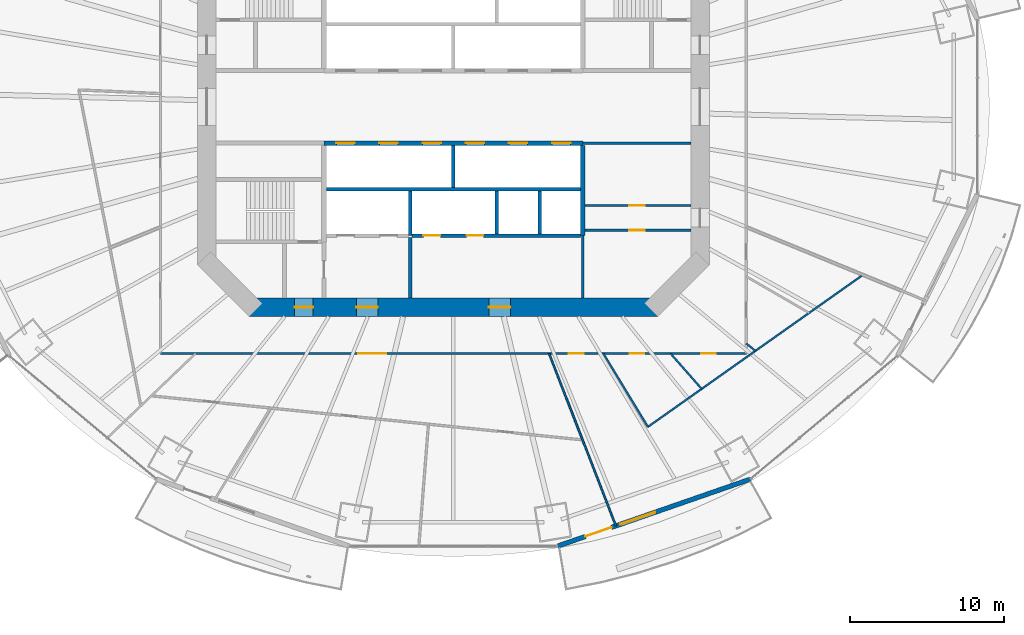
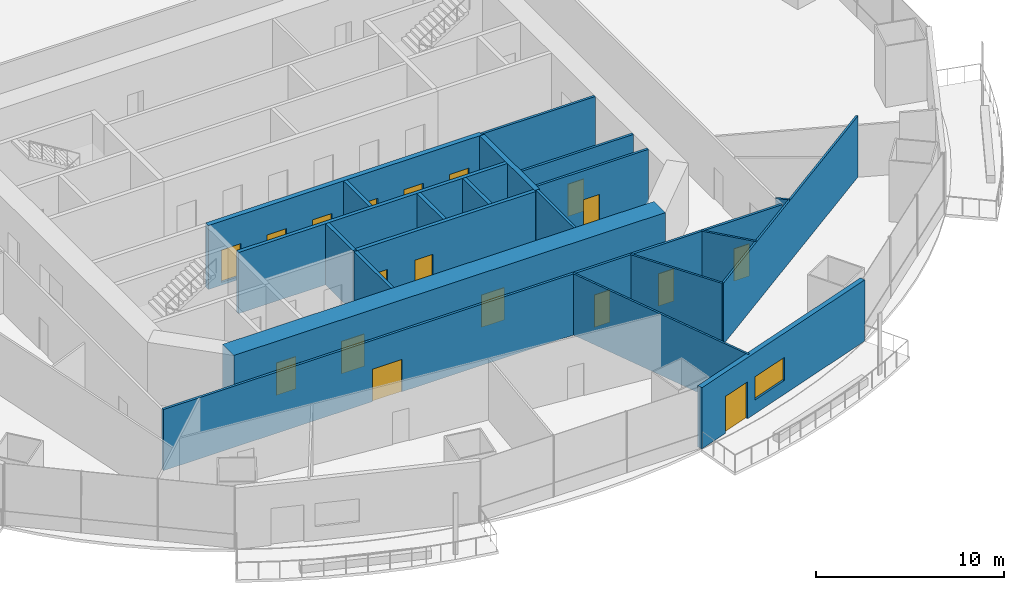
# One storey, part 14 of 22: 21 walls, 18 doors, 1 window, 19 openings.
"""IFC4 building model written with IfcOpenShell, lengths in metres."""

from ifc_helpers import new_model, si_unit, direction, frame, frame_2d, origin, place, context, subcontext, project, spatial, rectangle, extrude, material, layer, layer_set, type_object, element, fill, save


model = new_model("IFC4")

# Units and contexts
model_context = context("Model", 3, precision=1e-05, world=origin(), true_north=direction((0.0, 1.0)))
body_context = subcontext(model_context, "Body", "Model", "MODEL_VIEW")
ifc_project = project(units=[si_unit("LENGTHUNIT", "METRE"), si_unit("AREAUNIT", "SQUARE_METRE"), si_unit("VOLUMEUNIT", "CUBIC_METRE"), si_unit("PLANEANGLEUNIT", "RADIAN"), si_unit("MASSUNIT", "GRAM", prefix="KILO")], contexts=[model_context])

# Site, building, storey
site_placement = place(None, origin())
site = spatial("IfcSite", under=ifc_project, at=site_placement, CompositionType="ELEMENT")
building_placement = place(site_placement, origin())
building = spatial("IfcBuilding", under=site, at=building_placement, Name="Marenthal Gate Tower", CompositionType="ELEMENT")
storey_placement = place(building_placement, frame((0.0, 0.0, 103.550048828125)))
storey = spatial("IfcBuildingStorey", under=building, at=storey_placement, Name="L21", CompositionType="ELEMENT", Elevation=103.550048828125)

# Wall, openings, doors
ifc_material_1 = material(Name="Concrete 60 MPa", Category="concrete")
ifc_layer_1 = layer(ifc_material_1, 1.199951171875)
ifc_layer_set_1 = layer_set([ifc_layer_1], Name="Core shear wall 1200")
wall_type_1 = type_object("IfcWallType", Name="Core shear wall 1200", PredefinedType="SHEAR", material=ifc_layer_set_1)
wall_1_placement = place(storey_placement, frame((-13.24853515625, -13.0, -0.179931640625), z_axis=(0.0, 0.0, 1.0), x_axis=(1.0, 0.0, 0.0)))
wall_1 = element("IfcWall", 1, at=wall_1_placement, inside=storey, type_object=wall_type_1, Name="Core wall 08", PredefinedType="SHEAR", context=body_context, shape_type="SweptSolid", body=[
    extrude(rectangle(XDim=26.4970703125, YDim=1.199951171875, at=frame_2d((13.24853515625, 0.0))), origin(), (0.0, 0.0, 1.0), 4.14990234375),
])
opening_1_placement = place(wall_1_placement, frame((2.948486328125, 0.0, 0.179931640625)))
opening_1 = element("IfcOpeningElement", 2, at=opening_1_placement, cuts=wall_1, Name="Opening D001.06", PredefinedType="OPENING", context=body_context, shape_type="SweptSolid", body=[
    extrude(rectangle(XDim=1.199951171875, YDim=2.10009765625, at=frame_2d((0.60009765625, 1.050048828125))), frame((0.0, 0.60986328125, 0.0), z_axis=(0.0, -1.0, 0.0), x_axis=(1.0, 0.0, 0.0)), (0.0, 0.0, 1.0), 1.219970703125),
])
opening_2_placement = place(wall_1_placement, frame((6.948486328125, 0.0, 0.179931640625)))
opening_2 = element("IfcOpeningElement", 3, at=opening_2_placement, cuts=wall_1, Name="Opening D004.01", PredefinedType="OPENING", context=body_context, shape_type="SweptSolid", body=[
    extrude(rectangle(XDim=1.39990234375, YDim=2.10009765625, at=frame_2d((0.699951171875, 1.050048828125))), frame((0.0, 0.60986328125, 0.0), z_axis=(0.0, -1.0, 0.0), x_axis=(1.0, 0.0, 0.0)), (0.0, 0.0, 1.0), 1.219970703125),
])
opening_3_placement = place(wall_1_placement, frame((15.548583984375, 0.0, 0.179931640625)))
opening_3 = element("IfcOpeningElement", 4, at=opening_3_placement, cuts=wall_1, Name="Opening D004.02", PredefinedType="OPENING", context=body_context, shape_type="SweptSolid", body=[
    extrude(rectangle(XDim=1.39990234375, YDim=2.10009765625, at=frame_2d((0.699951171875, 1.050048828125))), frame((0.0, 0.60986328125, 0.0), z_axis=(0.0, -1.0, 0.0), x_axis=(1.0, 0.0, 0.0)), (0.0, 0.0, 1.0), 1.219970703125),
])
ifc_material_2 = material(Name="Steel fire door", Category="steel")
door_type_1 = type_object("IfcDoorType", Name="Fire door FD 45 1400 x 2100", OperationType="NOTDEFINED", PredefinedType="DOOR", material=ifc_material_2)
door_1_placement = place(opening_2_placement, origin())
door_1 = element("IfcDoor", 5, at=door_1_placement, inside=storey, type_object=door_type_1, Name="Door D004.01", OperationType="SINGLE_SWING_RIGHT", OverallHeight=2.10009765625, OverallWidth=1.39990234375, PredefinedType="DOOR", context=body_context, shape_type="SweptSolid", body=[
    extrude(rectangle(XDim=1.39990234375, YDim=2.10009765625, at=frame_2d((0.699951171875, 1.050048828125))), frame((0.0, 0.02490234375, 0.0), z_axis=(0.0, -1.0, 0.0), x_axis=(1.0, 0.0, 0.0)), (0.0, 0.0, 1.0), 0.050048828125),
])
fill(opening_2, door_1)
door_2_placement = place(opening_3_placement, origin())
door_2 = element("IfcDoor", 6, at=door_2_placement, inside=storey, type_object=door_type_1, Name="Door D004.02", OperationType="SINGLE_SWING_RIGHT", OverallHeight=2.10009765625, OverallWidth=1.39990234375, PredefinedType="DOOR", context=body_context, shape_type="SweptSolid", body=[
    extrude(rectangle(XDim=1.39990234375, YDim=2.10009765625, at=frame_2d((0.699951171875, 1.050048828125))), frame((0.0, 0.02490234375, 0.0), z_axis=(0.0, -1.0, 0.0), x_axis=(1.0, 0.0, 0.0)), (0.0, 0.0, 1.0), 0.050048828125),
])
fill(opening_3, door_2)
ifc_material_3 = material(Name="Steel fire door", Category="steel")
door_type_2 = type_object("IfcDoorType", Name="Fire door FD 90 1200 x 2100", OperationType="NOTDEFINED", PredefinedType="DOOR", material=ifc_material_3)
door_3_placement = place(opening_1_placement, origin())
door_3 = element("IfcDoor", 7, at=door_3_placement, inside=storey, type_object=door_type_2, Name="Door D001.06", OperationType="SINGLE_SWING_RIGHT", OverallHeight=2.10009765625, OverallWidth=1.199951171875, PredefinedType="DOOR", context=body_context, shape_type="SweptSolid", body=[
    extrude(rectangle(XDim=1.199951171875, YDim=2.10009765625, at=frame_2d((0.60009765625, 1.050048828125))), frame((0.0, 0.02490234375, 0.0), z_axis=(0.0, -1.0, 0.0), x_axis=(1.0, 0.0, 0.0)), (0.0, 0.0, 1.0), 0.050048828125),
])
fill(opening_1, door_3)

# Wall
ifc_material_4 = material(Name="Gypsum board on steel studs", Category="steel")
ifc_layer_2 = layer(ifc_material_4, 0.199951171875)
ifc_layer_set_2 = layer_set([ifc_layer_2], Name="Fire lobby wall 200")
wall_type_2 = type_object("IfcWallType", Name="Fire lobby wall 200", PredefinedType="PARTITIONING", material=ifc_layer_set_2)
wall_2_placement = place(storey_placement, frame((-2.800048828125, -12.39990234375, 0.0), z_axis=(0.0, 0.0, 1.0), x_axis=(0.0, 1.0, 0.0)))
element("IfcWall", 8, at=wall_2_placement, inside=storey, type_object=wall_type_2, Name="Fire wall 34", PredefinedType="PARTITIONING", context=body_context, shape_type="SweptSolid", body=[
    extrude(rectangle(XDim=3.93994140625, YDim=0.199951171875, at=frame_2d((1.969970703125, 0.0))), origin(), (0.0, 0.0, 1.0), 3.969970703125),
])

# Wall, openings, doors
ifc_material_5 = material(Name="Concrete 50 MPa", Category="concrete")
ifc_layer_3 = layer(ifc_material_5, 0.300048828125)
ifc_layer_set_3 = layer_set([ifc_layer_3], Name="Hoistway shear wall 300")
wall_type_3 = type_object("IfcWallType", Name="Hoistway shear wall 300", PredefinedType="SHEAR", material=ifc_layer_set_3)
wall_3_placement = place(storey_placement, frame((-8.39990234375, -2.35009765625, -0.179931640625), z_axis=(0.0, 0.0, 1.0), x_axis=(1.0, 0.0, 0.0)))
wall_3 = element("IfcWall", 9, at=wall_3_placement, inside=storey, type_object=wall_type_3, Name="Hoistway wall 17", PredefinedType="SHEAR", context=body_context, shape_type="SweptSolid", body=[
    extrude(rectangle(XDim=16.7998046875, YDim=0.300048828125, at=frame_2d((8.39990234375, 0.0))), origin(), (0.0, 0.0, 1.0), 4.14990234375),
])
opening_4_placement = place(wall_3_placement, frame((0.800048828125, 0.0, 0.179931640625)))
opening_4 = element("IfcOpeningElement", 10, at=opening_4_placement, cuts=wall_3, Name="Opening LD-LP7", PredefinedType="OPENING", context=body_context, shape_type="SweptSolid", body=[
    extrude(rectangle(XDim=1.199951171875, YDim=2.10009765625, at=frame_2d((0.60009765625, 1.050048828125))), frame((0.0, 0.16015625, 0.0), z_axis=(0.0, -1.0, 0.0), x_axis=(1.0, 0.0, 0.0)), (0.0, 0.0, 1.0), 0.320068359375),
])
opening_5_placement = place(wall_3_placement, frame((3.60009765625, 0.0, 0.179931640625)))
opening_5 = element("IfcOpeningElement", 11, at=opening_5_placement, cuts=wall_3, Name="Opening LD-LP8", PredefinedType="OPENING", context=body_context, shape_type="SweptSolid", body=[
    extrude(rectangle(XDim=1.199951171875, YDim=2.10009765625, at=frame_2d((0.60009765625, 1.050048828125))), frame((0.0, 0.16015625, 0.0), z_axis=(0.0, -1.0, 0.0), x_axis=(1.0, 0.0, 0.0)), (0.0, 0.0, 1.0), 0.320068359375),
])
opening_6_placement = place(wall_3_placement, frame((6.39990234375, 0.0, 0.179931640625)))
opening_6 = element("IfcOpeningElement", 12, at=opening_6_placement, cuts=wall_3, Name="Opening LD-LP9", PredefinedType="OPENING", context=body_context, shape_type="SweptSolid", body=[
    extrude(rectangle(XDim=1.199951171875, YDim=2.10009765625, at=frame_2d((0.60009765625, 1.050048828125))), frame((0.0, 0.16015625, 0.0), z_axis=(0.0, -1.0, 0.0), x_axis=(1.0, 0.0, 0.0)), (0.0, 0.0, 1.0), 0.320068359375),
])
opening_7_placement = place(wall_3_placement, frame((9.199951171875, 0.0, 0.179931640625)))
opening_7 = element("IfcOpeningElement", 13, at=opening_7_placement, cuts=wall_3, Name="Opening LD-LP10", PredefinedType="OPENING", context=body_context, shape_type="SweptSolid", body=[
    extrude(rectangle(XDim=1.199951171875, YDim=2.10009765625, at=frame_2d((0.60009765625, 1.050048828125))), frame((0.0, 0.16015625, 0.0), z_axis=(0.0, -1.0, 0.0), x_axis=(1.0, 0.0, 0.0)), (0.0, 0.0, 1.0), 0.320068359375),
])
opening_8_placement = place(wall_3_placement, frame((12.0, 0.0, 0.179931640625)))
opening_8 = element("IfcOpeningElement", 14, at=opening_8_placement, cuts=wall_3, Name="Opening LD-LP11", PredefinedType="OPENING", context=body_context, shape_type="SweptSolid", body=[
    extrude(rectangle(XDim=1.199951171875, YDim=2.10009765625, at=frame_2d((0.60009765625, 1.050048828125))), frame((0.0, 0.16015625, 0.0), z_axis=(0.0, -1.0, 0.0), x_axis=(1.0, 0.0, 0.0)), (0.0, 0.0, 1.0), 0.320068359375),
])
opening_9_placement = place(wall_3_placement, frame((14.800048828125, 0.0, 0.179931640625)))
opening_9 = element("IfcOpeningElement", 15, at=opening_9_placement, cuts=wall_3, Name="Opening LD-LP12", PredefinedType="OPENING", context=body_context, shape_type="SweptSolid", body=[
    extrude(rectangle(XDim=1.199951171875, YDim=2.10009765625, at=frame_2d((0.60009765625, 1.050048828125))), frame((0.0, 0.16015625, 0.0), z_axis=(0.0, -1.0, 0.0), x_axis=(1.0, 0.0, 0.0)), (0.0, 0.0, 1.0), 0.320068359375),
])
ifc_material_6 = material(Name="Stainless steel sliding door", Category="steel")
door_type_3 = type_object("IfcDoorType", Name="Lift landing door FD 90 1200 x 2100", OperationType="DOUBLE_DOOR_SLIDING", PredefinedType="DOOR", material=ifc_material_6)
door_4_placement = place(opening_4_placement, origin())
door_4 = element("IfcDoor", 16, at=door_4_placement, inside=storey, type_object=door_type_3, Name="Lift landing door LP7", OperationType="DOUBLE_DOOR_SLIDING", OverallHeight=2.10009765625, OverallWidth=1.199951171875, PredefinedType="DOOR", context=body_context, shape_type="SweptSolid", body=[
    extrude(rectangle(XDim=1.199951171875, YDim=2.10009765625, at=frame_2d((0.60009765625, 1.050048828125))), frame((0.0, 0.02490234375, 0.0), z_axis=(0.0, -1.0, 0.0), x_axis=(1.0, 0.0, 0.0)), (0.0, 0.0, 1.0), 0.050048828125),
])
fill(opening_4, door_4)
door_5_placement = place(opening_5_placement, origin())
door_5 = element("IfcDoor", 17, at=door_5_placement, inside=storey, type_object=door_type_3, Name="Lift landing door LP8", OperationType="DOUBLE_DOOR_SLIDING", OverallHeight=2.10009765625, OverallWidth=1.199951171875, PredefinedType="DOOR", context=body_context, shape_type="SweptSolid", body=[
    extrude(rectangle(XDim=1.199951171875, YDim=2.10009765625, at=frame_2d((0.60009765625, 1.050048828125))), frame((0.0, 0.02490234375, 0.0), z_axis=(0.0, -1.0, 0.0), x_axis=(1.0, 0.0, 0.0)), (0.0, 0.0, 1.0), 0.050048828125),
])
fill(opening_5, door_5)
door_6_placement = place(opening_6_placement, origin())
door_6 = element("IfcDoor", 18, at=door_6_placement, inside=storey, type_object=door_type_3, Name="Lift landing door LP9", OperationType="DOUBLE_DOOR_SLIDING", OverallHeight=2.10009765625, OverallWidth=1.199951171875, PredefinedType="DOOR", context=body_context, shape_type="SweptSolid", body=[
    extrude(rectangle(XDim=1.199951171875, YDim=2.10009765625, at=frame_2d((0.60009765625, 1.050048828125))), frame((0.0, 0.02490234375, 0.0), z_axis=(0.0, -1.0, 0.0), x_axis=(1.0, 0.0, 0.0)), (0.0, 0.0, 1.0), 0.050048828125),
])
fill(opening_6, door_6)
door_7_placement = place(opening_7_placement, origin())
door_7 = element("IfcDoor", 19, at=door_7_placement, inside=storey, type_object=door_type_3, Name="Lift landing door LP10", OperationType="DOUBLE_DOOR_SLIDING", OverallHeight=2.10009765625, OverallWidth=1.199951171875, PredefinedType="DOOR", context=body_context, shape_type="SweptSolid", body=[
    extrude(rectangle(XDim=1.199951171875, YDim=2.10009765625, at=frame_2d((0.60009765625, 1.050048828125))), frame((0.0, 0.02490234375, 0.0), z_axis=(0.0, -1.0, 0.0), x_axis=(1.0, 0.0, 0.0)), (0.0, 0.0, 1.0), 0.050048828125),
])
fill(opening_7, door_7)
door_8_placement = place(opening_8_placement, origin())
door_8 = element("IfcDoor", 20, at=door_8_placement, inside=storey, type_object=door_type_3, Name="Lift landing door LP11", OperationType="DOUBLE_DOOR_SLIDING", OverallHeight=2.10009765625, OverallWidth=1.199951171875, PredefinedType="DOOR", context=body_context, shape_type="SweptSolid", body=[
    extrude(rectangle(XDim=1.199951171875, YDim=2.10009765625, at=frame_2d((0.60009765625, 1.050048828125))), frame((0.0, 0.02490234375, 0.0), z_axis=(0.0, -1.0, 0.0), x_axis=(1.0, 0.0, 0.0)), (0.0, 0.0, 1.0), 0.050048828125),
])
fill(opening_8, door_8)
door_9_placement = place(opening_9_placement, origin())
door_9 = element("IfcDoor", 21, at=door_9_placement, inside=storey, type_object=door_type_3, Name="Lift landing door LP12", OperationType="DOUBLE_DOOR_SLIDING", OverallHeight=2.10009765625, OverallWidth=1.199951171875, PredefinedType="DOOR", context=body_context, shape_type="SweptSolid", body=[
    extrude(rectangle(XDim=1.199951171875, YDim=2.10009765625, at=frame_2d((0.60009765625, 1.050048828125))), frame((0.0, 0.02490234375, 0.0), z_axis=(0.0, -1.0, 0.0), x_axis=(1.0, 0.0, 0.0)), (0.0, 0.0, 1.0), 0.050048828125),
])
fill(opening_9, door_9)

# Wall
wall_4_placement = place(storey_placement, frame((8.39990234375, -8.35009765625, -0.179931640625), z_axis=(0.0, 0.0, 1.0), x_axis=(0.0, 1.0, 0.0)))
element("IfcWall", 22, at=wall_4_placement, inside=storey, type_object=wall_type_3, Name="Hoistway wall 43", PredefinedType="SHEAR", context=body_context, shape_type="SweptSolid", body=[
    extrude(rectangle(XDim=5.85009765625, YDim=0.300048828125, at=frame_2d((2.925048828125, 0.0))), origin(), (0.0, 0.0, 1.0), 4.14990234375),
])

# Wall, openings, doors
ifc_material_7 = material(Name="Concrete 40 MPa", Category="concrete")
ifc_layer_4 = layer(ifc_material_7, 0.219970703125)
ifc_layer_set_4 = layer_set([ifc_layer_4], Name="Hoistway wall 220")
wall_type_4 = type_object("IfcWallType", Name="Hoistway wall 220", PredefinedType="STANDARD", material=ifc_layer_set_4)
wall_5_placement = place(storey_placement, frame((-2.68994140625, -8.35009765625, 0.0), z_axis=(0.0, 0.0, 1.0), x_axis=(1.0, 0.0, 0.0)))
wall_5 = element("IfcWall", 23, at=wall_5_placement, inside=storey, type_object=wall_type_4, Name="Hoistway wall 11", PredefinedType="STANDARD", context=body_context, shape_type="SweptSolid", body=[
    extrude(rectangle(XDim=10.93994140625, YDim=0.219970703125, at=frame_2d((5.469970703125, 0.0))), origin(), (0.0, 0.0, 1.0), 3.969970703125),
])
opening_10_placement = place(wall_5_placement, frame((0.739990234375, 0.0, 0.0)))
opening_10 = element("IfcOpeningElement", 24, at=opening_10_placement, cuts=wall_5, Name="Opening LD-SV1", PredefinedType="OPENING", context=body_context, shape_type="SweptSolid", body=[
    extrude(rectangle(XDim=1.10009765625, YDim=2.10009765625, at=frame_2d((0.550048828125, 1.050048828125))), frame((0.0, 0.1201171875, 0.0), z_axis=(0.0, -1.0, 0.0), x_axis=(1.0, 0.0, 0.0)), (0.0, 0.0, 1.0), 0.239990234375),
])
opening_11_placement = place(wall_5_placement, frame((3.5400390625, 0.0, 0.0)))
opening_11 = element("IfcOpeningElement", 25, at=opening_11_placement, cuts=wall_5, Name="Opening LD-SV2", PredefinedType="OPENING", context=body_context, shape_type="SweptSolid", body=[
    extrude(rectangle(XDim=1.10009765625, YDim=2.10009765625, at=frame_2d((0.550048828125, 1.050048828125))), frame((0.0, 0.1201171875, 0.0), z_axis=(0.0, -1.0, 0.0), x_axis=(1.0, 0.0, 0.0)), (0.0, 0.0, 1.0), 0.239990234375),
])
ifc_material_8 = material(Name="Stainless steel sliding door", Category="steel")
door_type_4 = type_object("IfcDoorType", Name="Lift landing door FD 90 1100 x 2100", OperationType="DOUBLE_DOOR_SLIDING", PredefinedType="DOOR", material=ifc_material_8)
door_10_placement = place(opening_10_placement, origin())
door_10 = element("IfcDoor", 26, at=door_10_placement, inside=storey, type_object=door_type_4, Name="Lift landing door SV1", OperationType="DOUBLE_DOOR_SLIDING", OverallHeight=2.10009765625, OverallWidth=1.10009765625, PredefinedType="DOOR", context=body_context, shape_type="SweptSolid", body=[
    extrude(rectangle(XDim=1.10009765625, YDim=2.10009765625, at=frame_2d((0.550048828125, 1.050048828125))), frame((0.0, 0.02490234375, 0.0), z_axis=(0.0, -1.0, 0.0), x_axis=(1.0, 0.0, 0.0)), (0.0, 0.0, 1.0), 0.050048828125),
])
fill(opening_10, door_10)
door_11_placement = place(opening_11_placement, origin())
door_11 = element("IfcDoor", 27, at=door_11_placement, inside=storey, type_object=door_type_4, Name="Lift landing door SV2", OperationType="DOUBLE_DOOR_SLIDING", OverallHeight=2.10009765625, OverallWidth=1.10009765625, PredefinedType="DOOR", context=body_context, shape_type="SweptSolid", body=[
    extrude(rectangle(XDim=1.10009765625, YDim=2.10009765625, at=frame_2d((0.550048828125, 1.050048828125))), frame((0.0, 0.02490234375, 0.0), z_axis=(0.0, -1.0, 0.0), x_axis=(1.0, 0.0, 0.0)), (0.0, 0.0, 1.0), 0.050048828125),
])
fill(opening_11, door_11)

# Walls
wall_6_placement = place(storey_placement, frame((-8.25, -5.35009765625, 0.0), z_axis=(0.0, 0.0, 1.0), x_axis=(1.0, 0.0, 0.0)))
element("IfcWall", 28, at=wall_6_placement, inside=storey, type_object=wall_type_4, Name="Hoistway wall 14", PredefinedType="STANDARD", context=body_context, shape_type="SweptSolid", body=[
    extrude(rectangle(XDim=16.5, YDim=0.219970703125, at=frame_2d((8.25, 0.0))), origin(), (0.0, 0.0, 1.0), 3.969970703125),
])
wall_7_placement = place(storey_placement, frame((-2.800048828125, -8.35009765625, 0.0), z_axis=(0.0, 0.0, 1.0), x_axis=(0.0, 1.0, 0.0)))
element("IfcWall", 29, at=wall_7_placement, inside=storey, type_object=wall_type_4, Name="Hoistway wall 35", PredefinedType="STANDARD", context=body_context, shape_type="SweptSolid", body=[
    extrude(rectangle(XDim=2.89013671875, YDim=0.219970703125, at=frame_2d((1.445068359375, 0.0))), origin(), (0.0, 0.0, 1.0), 3.969970703125),
])
wall_8_placement = place(storey_placement, frame((0.0, -5.239990234375, 0.0), z_axis=(0.0, 0.0, 1.0), x_axis=(0.0, 1.0, 0.0)))
element("IfcWall", 30, at=wall_8_placement, inside=storey, type_object=wall_type_4, Name="Hoistway wall 36", PredefinedType="STANDARD", context=body_context, shape_type="SweptSolid", body=[
    extrude(rectangle(XDim=2.739990234375, YDim=0.219970703125, at=frame_2d((1.3701171875, 0.0))), origin(), (0.0, 0.0, 1.0), 3.969970703125),
])
for number, where, z_axis, x_axis, name in (
    (31, (2.800048828125, -8.239990234375, 0.0), (0.0, 0.0, 1.0), (0.0, 1.0, 0.0), "Hoistway wall 38"),
    (32, (5.60009765625, -8.239990234375, 0.0), (0.0, 0.0, 1.0), (0.0, 1.0, 0.0), "Hoistway wall 41"),
):
    element("IfcWall", number, at=place(storey_placement, frame(where, z_axis=z_axis, x_axis=x_axis)), inside=storey, type_object=wall_type_4, Name=name, PredefinedType="STANDARD", context=body_context, shape_type="SweptSolid", body=[
        extrude(rectangle(XDim=2.780029296875, YDim=0.219970703125, at=frame_2d((1.39013671875, 0.0))), origin(), (0.0, 0.0, 1.0), 3.969970703125),
    ])
ifc_material_9 = material(Name="Gypsum board on steel studs", Category="steel")
ifc_layer_5 = layer(ifc_material_9, 0.1201171875)
ifc_layer_set_5 = layer_set([ifc_layer_5], Name="Partition 120")
wall_type_5 = type_object("IfcWallType", Name="Partition 120", PredefinedType="PARTITIONING", material=ifc_layer_set_5)
wall_9_placement = place(storey_placement, frame((6.205078125, -16.0, 0.0), z_axis=(0.0, 0.0, 1.0), x_axis=(0.361589601178, -0.932337364005, 0.0)))
element("IfcWall", 33, at=wall_9_placement, inside=storey, type_object=wall_type_5, Name="Partition wall 57", PredefinedType="PARTITIONING", context=body_context, shape_type="SweptSolid", body=[
    extrude(rectangle(XDim=11.99462890625, YDim=0.1201171875, at=frame_2d((5.997314453125, 0.0))), origin(), (0.0, 0.0, 1.0), 3.969970703125),
])
wall_10_placement = place(storey_placement, frame((12.618896484375, -20.7607421875, 0.0), z_axis=(0.0, 0.0, 1.0), x_axis=(0.816544971261, 0.57728182884, 0.0)))
element("IfcWall", 34, at=wall_10_placement, inside=storey, type_object=wall_type_5, Name="Partition wall 58", PredefinedType="PARTITIONING", context=body_context, shape_type="SweptSolid", body=[
    extrude(rectangle(XDim=17.080322265625, YDim=0.1201171875, at=frame_2d((8.5400390625, 0.0))), origin(), (0.0, 0.0, 1.0), 3.969970703125),
])
wall_11_placement = place(storey_placement, frame((12.618896484375, -20.7607421875, 0.0), z_axis=(0.0, 0.0, 1.0), x_axis=(-0.519417180042, 0.854520797335, 0.0)))
element("IfcWall", 35, at=wall_11_placement, inside=storey, type_object=wall_type_5, Name="Partition wall 59", PredefinedType="PARTITIONING", context=body_context, shape_type="SweptSolid", body=[
    extrude(rectangle(XDim=5.5712890625, YDim=0.1201171875, at=frame_2d((2.78564453125, 0.0))), origin(), (0.0, 0.0, 1.0), 3.969970703125),
])
wall_12_placement = place(storey_placement, frame((16.105712890625, -18.295654296875, 0.0), z_axis=(0.0, 0.0, 1.0), x_axis=(-0.660779035131, 0.750580486511, 0.0)))
element("IfcWall", 36, at=wall_12_placement, inside=storey, type_object=wall_type_5, Name="Partition wall 60", PredefinedType="PARTITIONING", context=body_context, shape_type="SweptSolid", body=[
    extrude(rectangle(XDim=3.05859375, YDim=0.1201171875, at=frame_2d((1.529296875, 0.0))), origin(), (0.0, 0.0, 1.0), 3.969970703125),
])
wall_13_placement = place(storey_placement, frame((19.59228515625, -15.830810546875, 0.0), z_axis=(0.0, 0.0, 1.0), x_axis=(-0.777700050574, 0.628635531399, 0.0)))
element("IfcWall", 37, at=wall_13_placement, inside=storey, type_object=wall_type_5, Name="Partition wall 64", PredefinedType="PARTITIONING", context=body_context, shape_type="SweptSolid", body=[
    extrude(rectangle(XDim=0.761474609375, YDim=0.1201171875, at=frame_2d((0.380859375, 0.0))), origin(), (0.0, 0.0, 1.0), 3.969970703125),
])

# Wall, opening, door
ifc_material_10 = material(Name="Gypsum board on steel studs", Category="steel")
ifc_layer_6 = layer(ifc_material_10, 0.14990234375)
ifc_layer_set_6 = layer_set([ifc_layer_6], Name="Partition 150")
wall_type_6 = type_object("IfcWallType", Name="Partition 150", PredefinedType="PARTITIONING", material=ifc_layer_set_6)
wall_14_placement = place(storey_placement, frame((8.550048828125, -8.0, 0.0), z_axis=(0.0, 0.0, 1.0), x_axis=(1.0, 0.0, 0.0)))
wall_14 = element("IfcWall", 38, at=wall_14_placement, inside=storey, type_object=wall_type_6, Name="Partition wall 12", PredefinedType="PARTITIONING", context=body_context, shape_type="SweptSolid", body=[
    extrude(rectangle(XDim=6.849853515625, YDim=0.14990234375, at=frame_2d((3.4248046875, 0.0))), origin(), (0.0, 0.0, 1.0), 3.969970703125),
])
opening_12_placement = place(wall_14_placement, frame((2.85009765625, 0.0, 0.0)))
opening_12 = element("IfcOpeningElement", 39, at=opening_12_placement, cuts=wall_14, Name="Opening D005.04", PredefinedType="OPENING", context=body_context, shape_type="SweptSolid", body=[
    extrude(rectangle(XDim=1.0, YDim=2.10009765625, at=frame_2d((0.5, 1.050048828125))), frame((0.0, 0.0849609375, 0.0), z_axis=(0.0, -1.0, 0.0), x_axis=(1.0, 0.0, 0.0)), (0.0, 0.0, 1.0), 0.169921875),
])
ifc_material_11 = material(Name="Steel fire door", Category="steel")
door_type_5 = type_object("IfcDoorType", Name="Fire door FD 45 1000 x 2100", OperationType="NOTDEFINED", PredefinedType="DOOR", material=ifc_material_11)
door_12_placement = place(opening_12_placement, frame((1.0, 0.0, 0.0), z_axis=(0.0, 0.0, 1.0), x_axis=(-1.0, 0.0, 0.0)))
door_12 = element("IfcDoor", 40, at=door_12_placement, inside=storey, type_object=door_type_5, Name="Door D005.04", OperationType="SINGLE_SWING_LEFT", OverallHeight=2.10009765625, OverallWidth=1.0, PredefinedType="DOOR", context=body_context, shape_type="SweptSolid", body=[
    extrude(rectangle(XDim=1.0, YDim=2.10009765625, at=frame_2d((0.5, 1.050048828125))), frame((0.0, 0.02490234375, 0.0), z_axis=(0.0, -1.0, 0.0), x_axis=(1.0, 0.0, 0.0)), (0.0, 0.0, 1.0), 0.050048828125),
])
fill(opening_12, door_12)

wall_15_placement = place(storey_placement, frame((8.550048828125, -6.39990234375, 0.0), z_axis=(0.0, 0.0, 1.0), x_axis=(1.0, 0.0, 0.0)))
wall_15 = element("IfcWall", 41, at=wall_15_placement, inside=storey, type_object=wall_type_6, Name="Partition wall 13", PredefinedType="PARTITIONING", context=body_context, shape_type="SweptSolid", body=[
    extrude(rectangle(XDim=6.849853515625, YDim=0.14990234375, at=frame_2d((3.4248046875, 0.0))), origin(), (0.0, 0.0, 1.0), 3.969970703125),
])
opening_13_placement = place(wall_15_placement, frame((2.85009765625, 0.0, 0.0)))
opening_13 = element("IfcOpeningElement", 42, at=opening_13_placement, cuts=wall_15, Name="Opening D005.03", PredefinedType="OPENING", context=body_context, shape_type="SweptSolid", body=[
    extrude(rectangle(XDim=1.0, YDim=2.10009765625, at=frame_2d((0.5, 1.050048828125))), frame((0.0, 0.0849609375, 0.0), z_axis=(0.0, -1.0, 0.0), x_axis=(1.0, 0.0, 0.0)), (0.0, 0.0, 1.0), 0.169921875),
])
door_13_placement = place(opening_13_placement, origin())
door_13 = element("IfcDoor", 43, at=door_13_placement, inside=storey, type_object=door_type_5, Name="Door D005.03", OperationType="SINGLE_SWING_RIGHT", OverallHeight=2.10009765625, OverallWidth=1.0, PredefinedType="DOOR", context=body_context, shape_type="SweptSolid", body=[
    extrude(rectangle(XDim=1.0, YDim=2.10009765625, at=frame_2d((0.5, 1.050048828125))), frame((0.0, 0.02490234375, 0.0), z_axis=(0.0, -1.0, 0.0), x_axis=(1.0, 0.0, 0.0)), (0.0, 0.0, 1.0), 0.050048828125),
])
fill(opening_13, door_13)

# Walls
wall_16_placement = place(storey_placement, frame((8.39990234375, -2.35009765625, 0.0), z_axis=(0.0, 0.0, 1.0), x_axis=(1.0, 0.0, 0.0)))
element("IfcWall", 44, at=wall_16_placement, inside=storey, type_object=wall_type_6, Name="Partition wall 18", PredefinedType="PARTITIONING", context=body_context, shape_type="SweptSolid", body=[
    extrude(rectangle(XDim=7.0, YDim=0.14990234375, at=frame_2d((3.5, 0.0))), origin(), (0.0, 0.0, 1.0), 3.969970703125),
])
wall_17_placement = place(storey_placement, frame((8.39990234375, -12.39990234375, 0.0), z_axis=(0.0, 0.0, 1.0), x_axis=(0.0, 1.0, 0.0)))
element("IfcWall", 45, at=wall_17_placement, inside=storey, type_object=wall_type_6, Name="Partition wall 42", PredefinedType="PARTITIONING", context=body_context, shape_type="SweptSolid", body=[
    extrude(rectangle(XDim=4.0498046875, YDim=0.14990234375, at=frame_2d((2.02490234375, 0.0))), origin(), (0.0, 0.0, 1.0), 3.969970703125),
])

# Wall, openings, doors
wall_18_placement = place(storey_placement, frame((19.0, -16.0, 0.0), z_axis=(0.0, 0.0, 1.0), x_axis=(-1.0, 0.0, 0.0)))
wall_18 = element("IfcWall", 46, at=wall_18_placement, inside=storey, type_object=wall_type_6, Name="Partition wall 61", PredefinedType="PARTITIONING", context=body_context, shape_type="SweptSolid", body=[
    extrude(rectangle(XDim=38.0, YDim=0.14990234375, at=frame_2d((19.0, 0.0))), origin(), (0.0, 0.0, 1.0), 3.969970703125),
])
opening_14_placement = place(wall_18_placement, frame((23.362060546875, 0.0, 0.0)))
opening_14 = element("IfcOpeningElement", 47, at=opening_14_placement, cuts=wall_18, Name="Opening D014.03", PredefinedType="OPENING", context=body_context, shape_type="SweptSolid", body=[
    extrude(rectangle(XDim=1.800048828125, YDim=2.10009765625, at=frame_2d((0.89990234375, 1.050048828125))), frame((0.0, 0.0849609375, 0.0), z_axis=(0.0, -1.0, 0.0), x_axis=(1.0, 0.0, 0.0)), (0.0, 0.0, 1.0), 0.169921875),
])
opening_15_placement = place(wall_18_placement, frame((6.6201171875, 0.0, 0.0)))
opening_15 = element("IfcOpeningElement", 48, at=opening_15_placement, cuts=wall_18, Name="Opening D016.06", PredefinedType="OPENING", context=body_context, shape_type="SweptSolid", body=[
    extrude(rectangle(XDim=0.949951171875, YDim=2.10009765625, at=frame_2d((0.47509765625, 1.050048828125))), frame((0.0, 0.0849609375, 0.0), z_axis=(0.0, -1.0, 0.0), x_axis=(1.0, 0.0, 0.0)), (0.0, 0.0, 1.0), 0.169921875),
])
opening_16_placement = place(wall_18_placement, frame((1.98193359375, 0.0, 0.0)))
opening_16 = element("IfcOpeningElement", 49, at=opening_16_placement, cuts=wall_18, Name="Opening D016.07", PredefinedType="OPENING", context=body_context, shape_type="SweptSolid", body=[
    extrude(rectangle(XDim=0.949951171875, YDim=2.10009765625, at=frame_2d((0.47509765625, 1.050048828125))), frame((0.0, 0.0849609375, 0.0), z_axis=(0.0, -1.0, 0.0), x_axis=(1.0, 0.0, 0.0)), (0.0, 0.0, 1.0), 0.169921875),
])
opening_17_placement = place(wall_18_placement, frame((10.56005859375, 0.0, 0.0)))
opening_17 = element("IfcOpeningElement", 50, at=opening_17_placement, cuts=wall_18, Name="Opening D016.10", PredefinedType="OPENING", context=body_context, shape_type="SweptSolid", body=[
    extrude(rectangle(XDim=0.949951171875, YDim=2.10009765625, at=frame_2d((0.47509765625, 1.050048828125))), frame((0.0, 0.0849609375, 0.0), z_axis=(0.0, -1.0, 0.0), x_axis=(1.0, 0.0, 0.0)), (0.0, 0.0, 1.0), 0.169921875),
])
ifc_material_12 = material(Name="Timber door", Category="wood")
door_type_6 = type_object("IfcDoorType", Name="Door 950 x 2100", OperationType="NOTDEFINED", PredefinedType="DOOR", material=ifc_material_12)
door_14_placement = place(opening_15_placement, origin())
door_14 = element("IfcDoor", 51, at=door_14_placement, inside=storey, type_object=door_type_6, Name="Door D016.06", OperationType="SINGLE_SWING_RIGHT", OverallHeight=2.10009765625, OverallWidth=0.949951171875, PredefinedType="DOOR", context=body_context, shape_type="SweptSolid", body=[
    extrude(rectangle(XDim=0.949951171875, YDim=2.10009765625, at=frame_2d((0.47509765625, 1.050048828125))), frame((0.0, 0.02490234375, 0.0), z_axis=(0.0, -1.0, 0.0), x_axis=(1.0, 0.0, 0.0)), (0.0, 0.0, 1.0), 0.050048828125),
])
fill(opening_15, door_14)
door_15_placement = place(opening_16_placement, origin())
door_15 = element("IfcDoor", 52, at=door_15_placement, inside=storey, type_object=door_type_6, Name="Door D016.07", OperationType="SINGLE_SWING_RIGHT", OverallHeight=2.10009765625, OverallWidth=0.949951171875, PredefinedType="DOOR", context=body_context, shape_type="SweptSolid", body=[
    extrude(rectangle(XDim=0.949951171875, YDim=2.10009765625, at=frame_2d((0.47509765625, 1.050048828125))), frame((0.0, 0.02490234375, 0.0), z_axis=(0.0, -1.0, 0.0), x_axis=(1.0, 0.0, 0.0)), (0.0, 0.0, 1.0), 0.050048828125),
])
fill(opening_16, door_15)
door_16_placement = place(opening_17_placement, origin())
door_16 = element("IfcDoor", 53, at=door_16_placement, inside=storey, type_object=door_type_6, Name="Door D016.10", OperationType="SINGLE_SWING_RIGHT", OverallHeight=2.10009765625, OverallWidth=0.949951171875, PredefinedType="DOOR", context=body_context, shape_type="SweptSolid", body=[
    extrude(rectangle(XDim=0.949951171875, YDim=2.10009765625, at=frame_2d((0.47509765625, 1.050048828125))), frame((0.0, 0.02490234375, 0.0), z_axis=(0.0, -1.0, 0.0), x_axis=(1.0, 0.0, 0.0)), (0.0, 0.0, 1.0), 0.050048828125),
])
fill(opening_17, door_16)
ifc_material_13 = material(Name="Timber door", Category="wood")
door_type_7 = type_object("IfcDoorType", Name="Double door 1800 x 2100", OperationType="DOUBLE_DOOR_SINGLE_SWING", PredefinedType="DOOR", material=ifc_material_13)
door_17_placement = place(opening_14_placement, origin())
door_17 = element("IfcDoor", 54, at=door_17_placement, inside=storey, type_object=door_type_7, Name="Door D014.03", OperationType="DOUBLE_DOOR_SINGLE_SWING", OverallHeight=2.10009765625, OverallWidth=1.800048828125, PredefinedType="DOOR", context=body_context, shape_type="SweptSolid", body=[
    extrude(rectangle(XDim=1.800048828125, YDim=2.10009765625, at=frame_2d((0.89990234375, 1.050048828125))), frame((0.0, 0.02490234375, 0.0), z_axis=(0.0, -1.0, 0.0), x_axis=(1.0, 0.0, 0.0)), (0.0, 0.0, 1.0), 0.050048828125),
])
fill(opening_14, door_17)

# Wall, openings, door, window
ifc_material_14 = material(Name="Terracotta cladding on insulated concrete-block backing", Category="masonry")
ifc_layer_7 = layer(ifc_material_14, 0.300048828125)
ifc_layer_set_7 = layer_set([ifc_layer_7], Name="Terracotta facade wall 300")
wall_type_7 = type_object("IfcWallType", Name="Terracotta facade wall 300", PredefinedType="SOLIDWALL", material=ifc_layer_set_7)
wall_19_placement = place(storey_placement, frame((6.763427734375, -28.494873046875, 0.0), z_axis=(0.0, 0.0, 1.0), x_axis=(0.944700030718, 0.327935743647, 0.0)))
wall_19 = element("IfcWall", 55, at=wall_19_placement, inside=storey, type_object=wall_type_7, Name="Terracotta facade wall L21 bay 13", PredefinedType="SOLIDWALL", context=body_context, shape_type="SweptSolid", body=[
    extrude(rectangle(XDim=13.228515625, YDim=0.300048828125, at=frame_2d((6.6142578125, 0.0))), origin(), (0.0, 0.0, 1.0), 3.969970703125),
])
opening_18_placement = place(wall_19_placement, frame((1.89990234375, 0.0, 0.0)))
opening_18 = element("IfcOpeningElement", 56, at=opening_18_placement, cuts=wall_19, Name="Opening BD-L21-13", PredefinedType="OPENING", context=body_context, shape_type="SweptSolid", body=[
    extrude(rectangle(XDim=1.800048828125, YDim=2.39990234375, at=frame_2d((0.89990234375, 1.199951171875))), frame((0.0, 0.16015625, 0.0), z_axis=(0.0, -1.0, 0.0), x_axis=(1.0, 0.0, 0.0)), (0.0, 0.0, 1.0), 0.320068359375),
])
opening_19_placement = place(wall_19_placement, frame((4.300048828125, 0.0, 0.89990234375)))
opening_19 = element("IfcOpeningElement", 57, at=opening_19_placement, cuts=wall_19, Name="Opening WN1-L21-13", PredefinedType="OPENING", context=body_context, shape_type="SweptSolid", body=[
    extrude(rectangle(XDim=2.39990234375, YDim=1.5, at=frame_2d((1.199951171875, 0.75))), frame((0.0, 0.16015625, 0.0), z_axis=(0.0, -1.0, 0.0), x_axis=(1.0, 0.0, 0.0)), (0.0, 0.0, 1.0), 0.320068359375),
])
ifc_material_15 = material(Name="Aluminium and glass", Category="aluminium")
door_type_8 = type_object("IfcDoorType", Name="Balcony door 1800x2400", OperationType="DOUBLE_DOOR_SINGLE_SWING", PredefinedType="DOOR", material=ifc_material_15)
door_18_placement = place(opening_18_placement, origin())
door_18 = element("IfcDoor", 58, at=door_18_placement, inside=storey, type_object=door_type_8, Name="Balcony door L21 bay 13", OperationType="SINGLE_SWING_LEFT", OverallHeight=2.39990234375, OverallWidth=1.800048828125, PredefinedType="DOOR", context=body_context, shape_type="SweptSolid", body=[
    extrude(rectangle(XDim=1.800048828125, YDim=2.39990234375, at=frame_2d((0.89990234375, 1.199951171875))), frame((0.0, 0.02490234375, 0.0), z_axis=(0.0, -1.0, 0.0), x_axis=(1.0, 0.0, 0.0)), (0.0, 0.0, 1.0), 0.050048828125),
])
fill(opening_18, door_18)
ifc_material_16 = material(Name="Aluminium and glass", Category="aluminium")
window_type = type_object("IfcWindowType", Name="Window 2400x1500", PartitioningType="TRIPLE_PANEL_VERTICAL", PredefinedType="WINDOW", material=ifc_material_16)
window_placement = place(opening_19_placement, origin())
window = element("IfcWindow", 59, at=window_placement, inside=storey, type_object=window_type, Name="Window L21 bay 13", OverallHeight=1.5, OverallWidth=2.39990234375, PartitioningType="SINGLE_PANEL", PredefinedType="WINDOW", context=body_context, shape_type="SweptSolid", body=[
    extrude(rectangle(XDim=2.39990234375, YDim=1.5, at=frame_2d((1.199951171875, 0.75))), frame((0.0, 0.030029296875, 0.0), z_axis=(0.0, -1.0, 0.0), x_axis=(1.0, 0.0, 0.0)), (0.0, 0.0, 1.0), 0.06005859375),
])
fill(opening_19, window)

save(model, "model.ifc")
